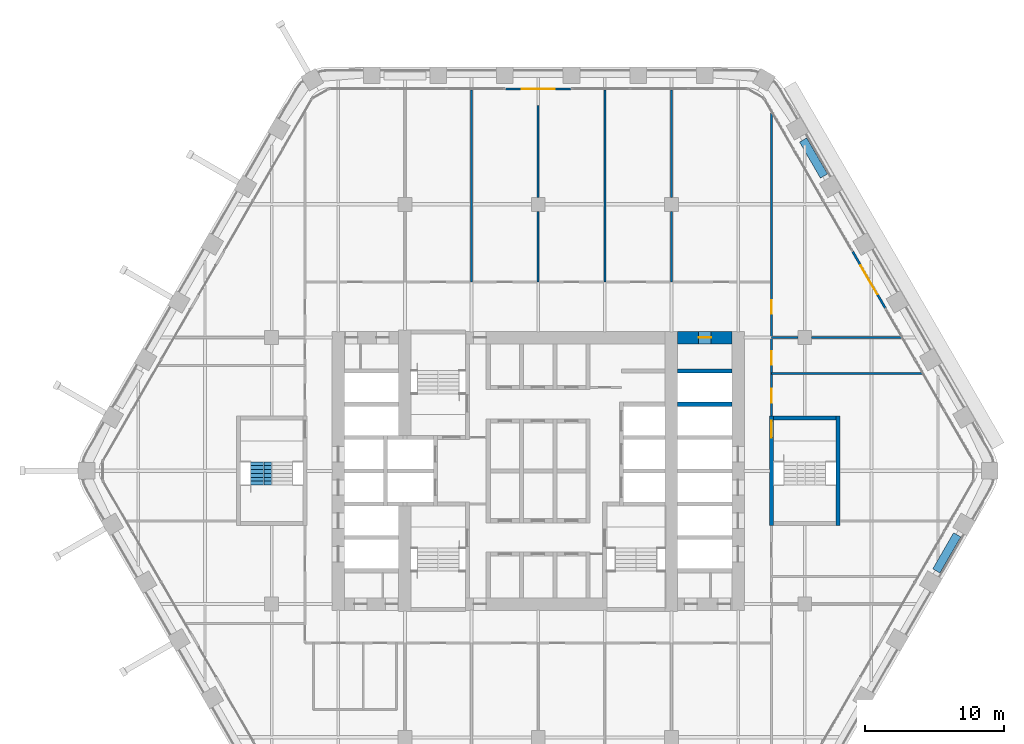
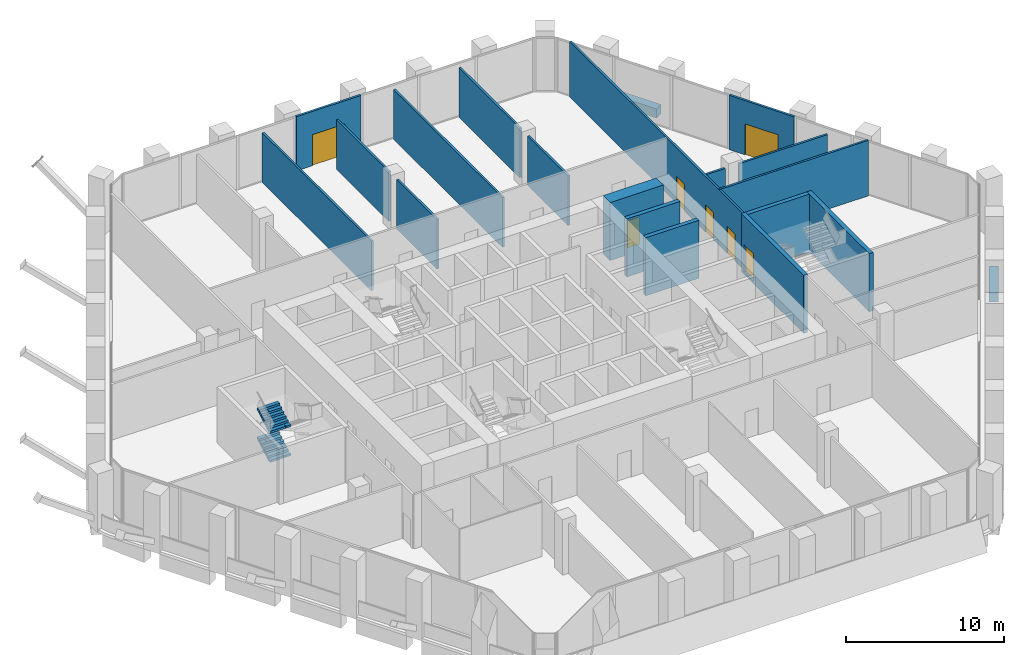
# One storey, part 19 of 27: 20 walls, 7 doors, 2 stair flights, 7 openings, 1 element without a shape of its own.
"""IFC4 building model written with IfcOpenShell, lengths in metres."""

from ifc_helpers import new_model, si_unit, direction, frame, frame_2d, origin, place, context, subcontext, project, spatial, polyline, rectangle, outline, extrude, material, layer, layer_set, type_object, element, fill, aggregate, save


model = new_model("IFC4")

# Units and contexts
model_context = context("Model", 3, precision=1e-05, world=origin(), true_north=direction((0.0, 1.0)))
body_context = subcontext(model_context, "Body", "Model", "MODEL_VIEW")
ifc_project = project(units=[si_unit("LENGTHUNIT", "METRE"), si_unit("AREAUNIT", "SQUARE_METRE"), si_unit("VOLUMEUNIT", "CUBIC_METRE"), si_unit("PLANEANGLEUNIT", "RADIAN"), si_unit("MASSUNIT", "GRAM", prefix="KILO")], contexts=[model_context])

# Site, building, storey
site_placement = place(None, origin())
site = spatial("IfcSite", under=ifc_project, at=site_placement, CompositionType="ELEMENT")
building_placement = place(site_placement, origin())
building = spatial("IfcBuilding", under=site, at=building_placement, Name="Kolab Exchange Tower", CompositionType="ELEMENT")
storey_placement = place(building_placement, frame((0.0, 0.0, 118.39990234375)))
storey = spatial("IfcBuildingStorey", under=building, at=storey_placement, Name="L23", CompositionType="ELEMENT", Elevation=118.39990234375)

# Wall, opening, door
ifc_material_1 = material(Name="Concrete C70/85", Category="concrete")
ifc_layer_1 = layer(ifc_material_1, 0.89990234375)
ifc_layer_set_1 = layer_set([ifc_layer_1], Name="Concrete C70/85")
wall_type_1 = type_object("IfcWallType", Name="CORE WALL 900 C70/85", PredefinedType="SHEAR", material=ifc_layer_set_1)
wall_1_placement = place(storey_placement, frame((10.050048828125, 9.60009765625, -0.199951171875), z_axis=(0.0, 0.0, 1.0), x_axis=(1.0, 0.0, 0.0)))
wall_1 = element("IfcWall", 1, at=wall_1_placement, inside=storey, type_object=wall_type_1, Name="wall/L23/core/053", PredefinedType="SHEAR", context=body_context, shape_type="SweptSolid", body=[
    extrude(rectangle(XDim=3.89990234375, YDim=0.89990234375, at=frame_2d((1.949951171875, 0.0))), origin(), (0.0, 0.0, 1.0), 4.5),
])
opening_1_placement = place(wall_1_placement, frame((1.5, 0.0, 0.199951171875)))
opening_1 = element("IfcOpeningElement", 2, at=opening_1_placement, cuts=wall_1, Name="Opening D6-212", PredefinedType="OPENING", context=body_context, shape_type="SweptSolid", body=[
    extrude(rectangle(XDim=0.89990234375, YDim=2.10009765625, at=frame_2d((0.449951171875, 1.050048828125))), frame((0.0, 0.4599609375, 0.0), z_axis=(0.0, -1.0, 0.0), x_axis=(1.0, 0.0, 0.0)), (0.0, 0.0, 1.0), 0.919921875),
])
ifc_material_2 = material(Name="Steel S235", Category="steel")
door_type_1 = type_object("IfcDoorType", Name="CORE DOOR 900 EI 120", OperationType="SINGLE_SWING_LEFT", PredefinedType="DOOR", material=ifc_material_2)
door_1_placement = place(opening_1_placement, frame((0.89990234375, 0.0, 0.0), z_axis=(0.0, 0.0, 1.0), x_axis=(-1.0, 0.0, 0.0)))
door_1 = element("IfcDoor", 3, at=door_1_placement, inside=storey, type_object=door_type_1, Name="Service room door", OperationType="SINGLE_SWING_LEFT", OverallHeight=2.10009765625, OverallWidth=0.89990234375, PredefinedType="DOOR", context=body_context, shape_type="SweptSolid", body=[
    extrude(rectangle(XDim=0.89990234375, YDim=2.10009765625, at=frame_2d((0.449951171875, 1.050048828125))), frame((0.0, 0.02490234375, 0.0), z_axis=(0.0, -1.0, 0.0), x_axis=(1.0, 0.0, 0.0)), (0.0, 0.0, 1.0), 0.050048828125),
])
fill(opening_1, door_1)

ifc_material_3 = material(Name="Aluminium EN AW-6063 T6", Category="aluminium")
ifc_layer_2 = layer(ifc_material_3, 0.159912109375)
ifc_layer_set_2 = layer_set([ifc_layer_2], Name="Aluminium EN AW-6063 T6")
wall_type_2 = type_object("IfcWallType", Name="DOOR SURROUND WALL 160 ALUMINIUM FRAMED", PredefinedType="PARTITIONING", material=ifc_layer_set_2)
wall_2_placement = place(storey_placement, frame((-2.3701171875, 27.5185546875, 0.0), z_axis=(0.0, 0.0, 1.0), x_axis=(1.0, 0.0, 0.0)))
wall_2 = element("IfcWall", 4, at=wall_2_placement, inside=storey, type_object=wall_type_2, Name="Door surround wall", PredefinedType="PARTITIONING", context=body_context, shape_type="SweptSolid", body=[
    extrude(rectangle(XDim=4.740234375, YDim=0.159912109375, at=frame_2d((2.3701171875, 0.0))), origin(), (0.0, 0.0, 1.0), 4.2001953125),
])
opening_2_placement = place(wall_2_placement, frame((1.169921875, 0.0, 0.0)))
opening_2 = element("IfcOpeningElement", 5, at=opening_2_placement, cuts=wall_2, Name="Opening GD1-043", PredefinedType="OPENING", context=body_context, shape_type="SweptSolid", body=[
    extrude(rectangle(XDim=2.39990234375, YDim=2.39990234375, at=frame_2d((1.199951171875, 1.199951171875))), frame((0.0, 0.08984375, 0.0), z_axis=(0.0, -1.0, 0.0), x_axis=(1.0, 0.0, 0.0)), (0.0, 0.0, 1.0), 0.179931640625),
])
door_type_2 = type_object("IfcDoorType", Name="LOGGIA SLIDING GLASS DOOR 2400 X 2400", OperationType="DOUBLE_DOOR_SINGLE_SWING", PredefinedType="DOOR", material=ifc_material_3)
door_2_placement = place(opening_2_placement, origin())
door_2 = element("IfcDoor", 6, at=door_2_placement, inside=storey, type_object=door_type_2, Name="Loggia door", OperationType="DOUBLE_DOOR_SLIDING", OverallHeight=2.39990234375, OverallWidth=2.39990234375, PredefinedType="DOOR", context=body_context, shape_type="SweptSolid", body=[
    extrude(rectangle(XDim=2.39990234375, YDim=2.39990234375, at=frame_2d((1.199951171875, 1.199951171875))), frame((0.0, 0.02490234375, 0.0), z_axis=(0.0, -1.0, 0.0), x_axis=(1.0, 0.0, 0.0)), (0.0, 0.0, 1.0), 0.050048828125),
])
fill(opening_2, door_2)

wall_3_placement = place(storey_placement, frame((22.646728515625, 15.811767578125, 0.0), z_axis=(0.0, 0.0, 1.0), x_axis=(0.499978080042, -0.866038058908, 0.0)))
wall_3 = element("IfcWall", 7, at=wall_3_placement, inside=storey, type_object=wall_type_2, Name="Door surround wall", PredefinedType="PARTITIONING", context=body_context, shape_type="SweptSolid", body=[
    extrude(rectangle(XDim=4.739990234375, YDim=0.159912109375, at=frame_2d((2.3701171875, 0.0))), origin(), (0.0, 0.0, 1.0), 4.2001953125),
])
opening_3_placement = place(wall_3_placement, frame((1.169921875, 0.0, 0.0)))
opening_3 = element("IfcOpeningElement", 8, at=opening_3_placement, cuts=wall_3, Name="Opening GD1-044", PredefinedType="OPENING", context=body_context, shape_type="SweptSolid", body=[
    extrude(rectangle(XDim=2.39990234375, YDim=2.39990234375, at=frame_2d((1.199951171875, 1.199951171875))), frame((0.0, 0.08984375, 0.0), z_axis=(0.0, -1.0, 0.0), x_axis=(1.0, 0.0, 0.0)), (0.0, 0.0, 1.0), 0.179931640625),
])
door_3_placement = place(opening_3_placement, origin())
door_3 = element("IfcDoor", 9, at=door_3_placement, inside=storey, type_object=door_type_2, Name="Loggia door", OperationType="DOUBLE_DOOR_SLIDING", OverallHeight=2.39990234375, OverallWidth=2.39990234375, PredefinedType="DOOR", context=body_context, shape_type="SweptSolid", body=[
    extrude(rectangle(XDim=2.39990234375, YDim=2.39990234375, at=frame_2d((1.199951171875, 1.199951171875))), frame((0.0, 0.02490234375, 0.0), z_axis=(0.0, -1.0, 0.0), x_axis=(1.0, 0.0, 0.0)), (0.0, 0.0, 1.0), 0.050048828125),
])
fill(opening_3, door_3)

# Walls
ifc_material_4 = material(Name="Concrete C50/60", Category="concrete")
ifc_layer_3 = layer(ifc_material_4, 0.300048828125)
ifc_layer_set_3 = layer_set([ifc_layer_3], Name="Concrete C50/60")
wall_type_3 = type_object("IfcWallType", Name="LIFT SHAFT WALL 300 C50/60", PredefinedType="STANDARD", material=ifc_layer_set_3)
for number, where, z_axis, x_axis, name in (
    (10, (10.050048828125, 4.800048828125, -0.199951171875), (0.0, 0.0, 1.0), (1.0, 0.0, 0.0), "wall/L23/core/044"),
    (11, (10.050048828125, 7.199951171875, -0.199951171875), (0.0, 0.0, 1.0), (1.0, 0.0, 0.0), "wall/L23/core/050"),
):
    element("IfcWall", number, at=place(storey_placement, frame(where, z_axis=z_axis, x_axis=x_axis)), inside=storey, type_object=wall_type_3, Name=name, PredefinedType="STANDARD", context=body_context, shape_type="SweptSolid", body=[
        extrude(rectangle(XDim=3.89990234375, YDim=0.300048828125, at=frame_2d((1.949951171875, 0.0))), origin(), (0.0, 0.0, 1.0), 4.5),
    ])

# Wall, openings, doors
ifc_material_5 = material(Name="Gypsum board", Category="gypsum")
ifc_layer_4 = layer(ifc_material_5, 0.14990234375)
ifc_layer_set_4 = layer_set([ifc_layer_4], Name="Gypsum board")
wall_type_4 = type_object("IfcWallType", Name="PARTITION 150 FIRE-RATED", PredefinedType="PARTITIONING", material=ifc_layer_set_4)
wall_4_placement = place(storey_placement, frame((16.800048828125, 3.949951171875, 0.0), z_axis=(0.0, 0.0, 1.0), x_axis=(0.0, 1.0, 0.0)))
wall_4 = element("IfcWall", 12, at=wall_4_placement, inside=storey, type_object=wall_type_4, Name="Partition 001", PredefinedType="PARTITIONING", context=body_context, shape_type="SweptSolid", body=[
    extrude(rectangle(XDim=21.908447265625, YDim=0.14990234375, at=frame_2d((10.9541015625, 0.0))), origin(), (0.0, 0.0, 1.0), 4.300048828125),
])
opening_4_placement = place(wall_4_placement, frame((0.949951171875, 0.0, 0.0)))
opening_4 = element("IfcOpeningElement", 13, at=opening_4_placement, cuts=wall_4, Name="Opening D1-316", PredefinedType="OPENING", context=body_context, shape_type="SweptSolid", body=[
    extrude(rectangle(XDim=1.0, YDim=2.10009765625, at=frame_2d((0.5, 1.050048828125))), frame((0.0, 0.0849609375, 0.0), z_axis=(0.0, -1.0, 0.0), x_axis=(1.0, 0.0, 0.0)), (0.0, 0.0, 1.0), 0.169921875),
])
opening_5_placement = place(wall_4_placement, frame((3.675048828125, 0.0, 0.0)))
opening_5 = element("IfcOpeningElement", 14, at=opening_5_placement, cuts=wall_4, Name="Opening D1-317", PredefinedType="OPENING", context=body_context, shape_type="SweptSolid", body=[
    extrude(rectangle(XDim=1.0, YDim=2.10009765625, at=frame_2d((0.5, 1.050048828125))), frame((0.0, 0.0849609375, 0.0), z_axis=(0.0, -1.0, 0.0), x_axis=(1.0, 0.0, 0.0)), (0.0, 0.0, 1.0), 0.169921875),
])
opening_6_placement = place(wall_4_placement, frame((7.35009765625, 0.0, 0.0)))
opening_6 = element("IfcOpeningElement", 15, at=opening_6_placement, cuts=wall_4, Name="Opening D1-318", PredefinedType="OPENING", context=body_context, shape_type="SweptSolid", body=[
    extrude(rectangle(XDim=1.0, YDim=2.10009765625, at=frame_2d((0.5, 1.050048828125))), frame((0.0, 0.0849609375, 0.0), z_axis=(0.0, -1.0, 0.0), x_axis=(1.0, 0.0, 0.0)), (0.0, 0.0, 1.0), 0.169921875),
])
door_type_3 = type_object("IfcDoorType", Name="FLUSH DOOR 1000 FD60", OperationType="SINGLE_SWING_LEFT", PredefinedType="DOOR", material=ifc_material_2)
door_4_placement = place(opening_4_placement, frame((1.0, 0.0, 0.0), z_axis=(0.0, 0.0, 1.0), x_axis=(-1.0, 0.0, 0.0)))
door_4 = element("IfcDoor", 16, at=door_4_placement, inside=storey, type_object=door_type_3, Name="Door L23-063", OperationType="SINGLE_SWING_RIGHT", OverallHeight=2.10009765625, OverallWidth=1.0, PredefinedType="DOOR", context=body_context, shape_type="SweptSolid", body=[
    extrude(rectangle(XDim=1.0, YDim=2.10009765625, at=frame_2d((0.5, 1.050048828125))), frame((0.0, 0.02490234375, 0.0), z_axis=(0.0, -1.0, 0.0), x_axis=(1.0, 0.0, 0.0)), (0.0, 0.0, 1.0), 0.050048828125),
])
fill(opening_4, door_4)
door_5_placement = place(opening_5_placement, frame((1.0, 0.0, 0.0), z_axis=(0.0, 0.0, 1.0), x_axis=(-1.0, 0.0, 0.0)))
door_5 = element("IfcDoor", 17, at=door_5_placement, inside=storey, type_object=door_type_3, Name="Door L23-064", OperationType="SINGLE_SWING_LEFT", OverallHeight=2.10009765625, OverallWidth=1.0, PredefinedType="DOOR", context=body_context, shape_type="SweptSolid", body=[
    extrude(rectangle(XDim=1.0, YDim=2.10009765625, at=frame_2d((0.5, 1.050048828125))), frame((0.0, 0.02490234375, 0.0), z_axis=(0.0, -1.0, 0.0), x_axis=(1.0, 0.0, 0.0)), (0.0, 0.0, 1.0), 0.050048828125),
])
fill(opening_5, door_5)
door_6_placement = place(opening_6_placement, frame((1.0, 0.0, 0.0), z_axis=(0.0, 0.0, 1.0), x_axis=(-1.0, 0.0, 0.0)))
door_6 = element("IfcDoor", 18, at=door_6_placement, inside=storey, type_object=door_type_3, Name="Door L23-065", OperationType="SINGLE_SWING_LEFT", OverallHeight=2.10009765625, OverallWidth=1.0, PredefinedType="DOOR", context=body_context, shape_type="SweptSolid", body=[
    extrude(rectangle(XDim=1.0, YDim=2.10009765625, at=frame_2d((0.5, 1.050048828125))), frame((0.0, 0.02490234375, 0.0), z_axis=(0.0, -1.0, 0.0), x_axis=(1.0, 0.0, 0.0)), (0.0, 0.0, 1.0), 0.050048828125),
])
fill(opening_6, door_6)

# Walls
wall_5_placement = place(storey_placement, frame((9.60009765625, 13.60009765625, 0.0), z_axis=(0.0, 0.0, 1.0), x_axis=(0.0, 1.0, 0.0)))
element("IfcWall", 19, at=wall_5_placement, inside=storey, type_object=wall_type_4, Name="Partition 005", PredefinedType="PARTITIONING", context=body_context, shape_type="SweptSolid", body=[
    extrude(rectangle(XDim=5.099853515625, YDim=0.14990234375, at=frame_2d((2.5498046875, 0.0))), origin(), (0.0, 0.0, 1.0), 3.843017578125),
])
wall_6_placement = place(storey_placement, frame((9.60009765625, 19.699951171875, 0.0), z_axis=(0.0, 0.0, 1.0), x_axis=(0.0, 1.0, 0.0)))
element("IfcWall", 20, at=wall_6_placement, inside=storey, type_object=wall_type_4, Name="Partition 006", PredefinedType="PARTITIONING", context=body_context, shape_type="SweptSolid", body=[
    extrude(rectangle(XDim=7.728515625, YDim=0.14990234375, at=frame_2d((3.8642578125, 0.0))), origin(), (0.0, 0.0, 1.0), 3.843017578125),
])
wall_7_placement = place(storey_placement, frame((4.800048828125, 13.60009765625, 0.0), z_axis=(0.0, 0.0, 1.0), x_axis=(0.0, 1.0, 0.0)))
element("IfcWall", 21, at=wall_7_placement, inside=storey, type_object=wall_type_4, Name="Partition 008", PredefinedType="PARTITIONING", context=body_context, shape_type="SweptSolid", body=[
    extrude(rectangle(XDim=13.828369140625, YDim=0.14990234375, at=frame_2d((6.9140625, 0.0))), origin(), (0.0, 0.0, 1.0), 3.843017578125),
])
wall_8_placement = place(storey_placement, frame((0.0, 13.60009765625, 0.0), z_axis=(0.0, 0.0, 1.0), x_axis=(0.0, 1.0, 0.0)))
element("IfcWall", 22, at=wall_8_placement, inside=storey, type_object=wall_type_4, Name="Partition 011", PredefinedType="PARTITIONING", context=body_context, shape_type="SweptSolid", body=[
    extrude(rectangle(XDim=5.099853515625, YDim=0.14990234375, at=frame_2d((2.5498046875, 0.0))), origin(), (0.0, 0.0, 1.0), 3.843017578125),
])
wall_9_placement = place(storey_placement, frame((0.0, 19.699951171875, 0.0), z_axis=(0.0, 0.0, 1.0), x_axis=(0.0, 1.0, 0.0)))
element("IfcWall", 23, at=wall_9_placement, inside=storey, type_object=wall_type_4, Name="Partition 012", PredefinedType="PARTITIONING", context=body_context, shape_type="SweptSolid", body=[
    extrude(rectangle(XDim=6.61865234375, YDim=0.14990234375, at=frame_2d((3.309326171875, 0.0))), origin(), (0.0, 0.0, 1.0), 3.843017578125),
])
wall_10_placement = place(storey_placement, frame((-4.800048828125, 13.60009765625, 0.0), z_axis=(0.0, 0.0, 1.0), x_axis=(0.0, 1.0, 0.0)))
element("IfcWall", 24, at=wall_10_placement, inside=storey, type_object=wall_type_4, Name="Partition 014", PredefinedType="PARTITIONING", context=body_context, shape_type="SweptSolid", body=[
    extrude(rectangle(XDim=13.828369140625, YDim=0.14990234375, at=frame_2d((6.9140625, 0.0))), origin(), (0.0, 0.0, 1.0), 3.843017578125),
])
wall_11_placement = place(storey_placement, frame((16.800048828125, 7.0, 0.0), z_axis=(0.0, 0.0, 1.0), x_axis=(1.0, 0.0, 0.0)))
element("IfcWall", 25, at=wall_11_placement, inside=storey, type_object=wall_type_4, Name="Partition 036", PredefinedType="PARTITIONING", context=body_context, shape_type="SweptSolid", body=[
    extrude(rectangle(XDim=10.887939453125, YDim=0.14990234375, at=frame_2d((5.44384765625, 0.0))), origin(), (0.0, 0.0, 1.0), 4.300048828125),
])
wall_12_placement = place(storey_placement, frame((16.800048828125, 9.60009765625, 0.0), z_axis=(0.0, 0.0, 1.0), x_axis=(1.0, 0.0, 0.0)))
element("IfcWall", 26, at=wall_12_placement, inside=storey, type_object=wall_type_4, Name="Partition 040", PredefinedType="PARTITIONING", context=body_context, shape_type="SweptSolid", body=[
    extrude(rectangle(XDim=1.89990234375, YDim=0.14990234375, at=frame_2d((0.949951171875, 0.0))), origin(), (0.0, 0.0, 1.0), 3.692138671875),
])
wall_13_placement = place(storey_placement, frame((19.699951171875, 9.60009765625, 0.0), z_axis=(0.0, 0.0, 1.0), x_axis=(1.0, 0.0, 0.0)))
element("IfcWall", 27, at=wall_13_placement, inside=storey, type_object=wall_type_4, Name="Partition 041", PredefinedType="PARTITIONING", context=body_context, shape_type="SweptSolid", body=[
    extrude(rectangle(XDim=6.48681640625, YDim=0.14990234375, at=frame_2d((3.243408203125, 0.0))), origin(), (0.0, 0.0, 1.0), 3.692138671875),
])
ifc_material_6 = material(Name="Granite facing", Category="masonry")
ifc_layer_5 = layer(ifc_material_6, 0.0400390625)
ifc_material_7 = material(Name="Concrete C40/50 precast", Category="concrete")
ifc_layer_6 = layer(ifc_material_7, 0.56005859375)
ifc_layer_set_5 = layer_set([ifc_layer_5, ifc_layer_6], Name="Concrete C40/50 precast")
wall_type_5 = type_object("IfcWallType", Name="PLANTER BOX 600 X 700 SOIL DEPTH 550", PredefinedType="USERDEFINED", material=ifc_layer_set_5)
for number, where, z_axis, x_axis, name in (
    (28, (19.087158203125, 23.837158203125, 0.0), (0.0, 0.0, 1.0), (0.499990139034, -0.866031096941, 0.0), "Planter"),
    (29, (30.18701171875, -4.611328125, 0.0), (0.0, 0.0, 1.0), (-0.499990139034, -0.866031096941, 0.0), "Planter"),
):
    element("IfcWall", number, at=place(storey_placement, frame(where, z_axis=z_axis, x_axis=x_axis)), inside=storey, type_object=wall_type_5, Name=name, ObjectType="PLANTER", PredefinedType="USERDEFINED", context=body_context, shape_type="SweptSolid", body=[
        extrude(rectangle(XDim=3.0, YDim=0.60009765625, at=frame_2d((1.5, 0.0))), origin(), (0.0, 0.0, 1.0), 0.7001953125),
    ])
ifc_layer_7 = layer(ifc_material_4, 0.300048828125)
ifc_layer_set_6 = layer_set([ifc_layer_7], Name="Concrete C50/60")
wall_type_6 = type_object("IfcWallType", Name="STAIR ENCLOSURE WALL 300 C50/60", PredefinedType="STANDARD", material=ifc_layer_set_6)
wall_14_placement = place(storey_placement, frame((16.949951171875, 3.800048828125, -0.199951171875), z_axis=(0.0, 0.0, 1.0), x_axis=(1.0, 0.0, 0.0)))
element("IfcWall", 30, at=wall_14_placement, inside=storey, type_object=wall_type_6, Name="wall/L23/core/041", PredefinedType="STANDARD", context=body_context, shape_type="SweptSolid", body=[
    extrude(rectangle(XDim=4.5, YDim=0.300048828125, at=frame_2d((2.25, 0.0))), origin(), (0.0, 0.0, 1.0), 4.5),
])

# Wall, opening, door
wall_15_placement = place(storey_placement, frame((16.800048828125, -3.949951171875, -0.199951171875), z_axis=(0.0, 0.0, 1.0), x_axis=(0.0, 1.0, 0.0)))
wall_15 = element("IfcWall", 31, at=wall_15_placement, inside=storey, type_object=wall_type_6, Name="wall/L23/core/082", PredefinedType="STANDARD", context=body_context, shape_type="SweptSolid", body=[
    extrude(rectangle(XDim=7.89990234375, YDim=0.300048828125, at=frame_2d((3.949951171875, 0.0))), origin(), (0.0, 0.0, 1.0), 4.5),
])
opening_7_placement = place(wall_15_placement, frame((6.35009765625, 0.0, 0.199951171875)))
opening_7 = element("IfcOpeningElement", 32, at=opening_7_placement, cuts=wall_15, Name="Opening D4-047", PredefinedType="OPENING", context=body_context, shape_type="SweptSolid", body=[
    extrude(rectangle(XDim=1.199951171875, YDim=2.10009765625, at=frame_2d((0.60009765625, 1.050048828125))), frame((0.0, 0.16015625, 0.0), z_axis=(0.0, -1.0, 0.0), x_axis=(1.0, 0.0, 0.0)), (0.0, 0.0, 1.0), 0.320068359375),
])
door_type_4 = type_object("IfcDoorType", Name="STAIR DOOR 1200 EI 120", OperationType="SINGLE_SWING_LEFT", PredefinedType="DOOR", material=ifc_material_2)
door_7_placement = place(opening_7_placement, frame((1.199951171875, 0.0, 0.0), z_axis=(0.0, 0.0, 1.0), x_axis=(-1.0, 0.0, 0.0)))
door_7 = element("IfcDoor", 33, at=door_7_placement, inside=storey, type_object=door_type_4, Name="Stair 4 door", OperationType="SINGLE_SWING_RIGHT", OverallHeight=2.10009765625, OverallWidth=1.199951171875, PredefinedType="DOOR", context=body_context, shape_type="SweptSolid", body=[
    extrude(rectangle(XDim=1.199951171875, YDim=2.10009765625, at=frame_2d((0.60009765625, 1.050048828125))), frame((0.0, 0.02490234375, 0.0), z_axis=(0.0, -1.0, 0.0), x_axis=(1.0, 0.0, 0.0)), (0.0, 0.0, 1.0), 0.050048828125),
])
fill(opening_7, door_7)

# Wall
wall_16_placement = place(storey_placement, frame((21.60009765625, -3.949951171875, -0.199951171875), z_axis=(0.0, 0.0, 1.0), x_axis=(0.0, 1.0, 0.0)))
element("IfcWall", 34, at=wall_16_placement, inside=storey, type_object=wall_type_6, Name="wall/L23/core/083", PredefinedType="STANDARD", context=body_context, shape_type="SweptSolid", body=[
    extrude(rectangle(XDim=7.89990234375, YDim=0.300048828125, at=frame_2d((3.949951171875, 0.0))), origin(), (0.0, 0.0, 1.0), 4.5),
])

# Stair, stair flights
stair_type = type_object("IfcStairType", Name="STAIR ST5 RISER 160.7", PredefinedType="DOUBLE_RETURN_STAIR", material=ifc_material_4)
stair_placement = place(storey_placement, origin())
stair = element("IfcStair", 35, at=stair_placement, inside=storey, type_object=stair_type, Name="Stair 5", PredefinedType="DOUBLE_RETURN_STAIR")
stair_flight_type = type_object("IfcStairFlightType", Name="STAIR FLIGHT 1500 RISER 160.7", PredefinedType="STRAIGHT", material=ifc_material_4)
stair_flight_1_placement = place(storey_placement, frame((-19.9599609375, -1.030029296875, 1.125), z_axis=(0.0, 0.0, 1.0), x_axis=(0.0, 1.0, 0.0)))
stair_flight_1 = element("IfcStairFlight", 36, at=stair_flight_1_placement, type_object=stair_flight_type, Name="ST5 flight 2", NumberOfRisers=7, NumberOfTreads=6, PredefinedType="STRAIGHT", RiserHeight=0.160714286, TreadLength=0.28, context=body_context, shape_type="SweptSolid", body=[
    extrude(outline(polyline([(0.0, 0.0), (0.0, 0.16064453125), (0.280029296875, 0.16064453125), (0.280029296875, 0.321533203125), (0.56005859375, 0.321533203125), (0.56005859375, 0.482177734375), (0.840087890625, 0.482177734375), (0.840087890625, 0.642822265625), (1.1201171875, 0.642822265625), (1.1201171875, 0.803466796875), (1.39990234375, 0.803466796875), (1.39990234375, 0.96435546875), (1.679931640625, 0.96435546875), (1.679931640625, 1.125), (1.679931640625, 0.79150390625), (0.301025390625, 0.0), (0.0, 0.0)])), frame((0.0, 0.75, 0.0), z_axis=(0.0, -1.0, 0.0), x_axis=(1.0, 0.0, 0.0)), (0.0, 0.0, 1.0), 0.185791015625),
    extrude(outline(polyline([(0.0, 0.0), (0.0, 0.16064453125), (0.280029296875, 0.16064453125), (0.280029296875, 0.321533203125), (0.56005859375, 0.321533203125), (0.56005859375, 0.482177734375), (0.840087890625, 0.482177734375), (0.840087890625, 0.642822265625), (1.1201171875, 0.642822265625), (1.1201171875, 0.803466796875), (1.39990234375, 0.803466796875), (1.39990234375, 0.96435546875), (1.679931640625, 0.96435546875), (1.679931640625, 1.125), (1.679931640625, 0.79150390625), (0.301025390625, 0.0), (0.0, 0.0)])), frame((0.0, 0.562255859375, 0.0), z_axis=(0.0, -1.0, 0.0), x_axis=(1.0, 0.0, 0.0)), (0.0, 0.0, 1.0), 0.185791015625),
    extrude(outline(polyline([(0.0, 0.0), (0.0, 0.16064453125), (0.280029296875, 0.16064453125), (0.280029296875, 0.321533203125), (0.56005859375, 0.321533203125), (0.56005859375, 0.482177734375), (0.840087890625, 0.482177734375), (0.840087890625, 0.642822265625), (1.1201171875, 0.642822265625), (1.1201171875, 0.803466796875), (1.39990234375, 0.803466796875), (1.39990234375, 0.96435546875), (1.679931640625, 0.96435546875), (1.679931640625, 1.125), (1.679931640625, 0.79150390625), (0.301025390625, 0.0), (0.0, 0.0)])), frame((0.0, 0.37451171875, 0.0), z_axis=(0.0, -1.0, 0.0), x_axis=(1.0, 0.0, 0.0)), (0.0, 0.0, 1.0), 0.185791015625),
    extrude(outline(polyline([(0.0, 0.0), (0.0, 0.16064453125), (0.280029296875, 0.16064453125), (0.280029296875, 0.321533203125), (0.56005859375, 0.321533203125), (0.56005859375, 0.482177734375), (0.840087890625, 0.482177734375), (0.840087890625, 0.642822265625), (1.1201171875, 0.642822265625), (1.1201171875, 0.803466796875), (1.39990234375, 0.803466796875), (1.39990234375, 0.96435546875), (1.679931640625, 0.96435546875), (1.679931640625, 1.125), (1.679931640625, 0.79150390625), (0.301025390625, 0.0), (0.0, 0.0)])), frame((0.0, 0.186767578125, 0.0), z_axis=(0.0, -1.0, 0.0), x_axis=(1.0, 0.0, 0.0)), (0.0, 0.0, 1.0), 0.185791015625),
    extrude(outline(polyline([(0.0, 0.0), (0.0, 0.16064453125), (0.280029296875, 0.16064453125), (0.280029296875, 0.321533203125), (0.56005859375, 0.321533203125), (0.56005859375, 0.482177734375), (0.840087890625, 0.482177734375), (0.840087890625, 0.642822265625), (1.1201171875, 0.642822265625), (1.1201171875, 0.803466796875), (1.39990234375, 0.803466796875), (1.39990234375, 0.96435546875), (1.679931640625, 0.96435546875), (1.679931640625, 1.125), (1.679931640625, 0.79150390625), (0.301025390625, 0.0), (0.0, 0.0)])), frame((0.0, -0.0009765625, 0.0), z_axis=(0.0, -1.0, 0.0), x_axis=(1.0, 0.0, 0.0)), (0.0, 0.0, 1.0), 0.185791015625),
    extrude(outline(polyline([(0.0, 0.0), (0.0, 0.16064453125), (0.280029296875, 0.16064453125), (0.280029296875, 0.321533203125), (0.56005859375, 0.321533203125), (0.56005859375, 0.482177734375), (0.840087890625, 0.482177734375), (0.840087890625, 0.642822265625), (1.1201171875, 0.642822265625), (1.1201171875, 0.803466796875), (1.39990234375, 0.803466796875), (1.39990234375, 0.96435546875), (1.679931640625, 0.96435546875), (1.679931640625, 1.125), (1.679931640625, 0.79150390625), (0.301025390625, 0.0), (0.0, 0.0)])), frame((0.0, -0.188720703125, 0.0), z_axis=(0.0, -1.0, 0.0), x_axis=(1.0, 0.0, 0.0)), (0.0, 0.0, 1.0), 0.185791015625),
    extrude(outline(polyline([(0.0, 0.0), (0.0, 0.16064453125), (0.280029296875, 0.16064453125), (0.280029296875, 0.321533203125), (0.56005859375, 0.321533203125), (0.56005859375, 0.482177734375), (0.840087890625, 0.482177734375), (0.840087890625, 0.642822265625), (1.1201171875, 0.642822265625), (1.1201171875, 0.803466796875), (1.39990234375, 0.803466796875), (1.39990234375, 0.96435546875), (1.679931640625, 0.96435546875), (1.679931640625, 1.125), (1.679931640625, 0.79150390625), (0.301025390625, 0.0), (0.0, 0.0)])), frame((0.0, -0.37646484375, 0.0), z_axis=(0.0, -1.0, 0.0), x_axis=(1.0, 0.0, 0.0)), (0.0, 0.0, 1.0), 0.185791015625),
    extrude(outline(polyline([(0.0, 0.0), (0.0, 0.16064453125), (0.280029296875, 0.16064453125), (0.280029296875, 0.321533203125), (0.56005859375, 0.321533203125), (0.56005859375, 0.482177734375), (0.840087890625, 0.482177734375), (0.840087890625, 0.642822265625), (1.1201171875, 0.642822265625), (1.1201171875, 0.803466796875), (1.39990234375, 0.803466796875), (1.39990234375, 0.96435546875), (1.679931640625, 0.96435546875), (1.679931640625, 1.125), (1.679931640625, 0.79150390625), (0.301025390625, 0.0), (0.0, 0.0)])), frame((0.0, -0.564208984375, 0.0), z_axis=(0.0, -1.0, 0.0), x_axis=(1.0, 0.0, 0.0)), (0.0, 0.0, 1.0), 0.185791015625),
])
stair_flight_2_placement = place(storey_placement, frame((-19.9599609375, -1.030029296875, 3.375), z_axis=(0.0, 0.0, 1.0), x_axis=(0.0, 1.0, 0.0)))
stair_flight_2 = element("IfcStairFlight", 37, at=stair_flight_2_placement, type_object=stair_flight_type, Name="ST5 flight 4", NumberOfRisers=7, NumberOfTreads=6, PredefinedType="STRAIGHT", RiserHeight=0.160714286, TreadLength=0.28, context=body_context, shape_type="SweptSolid", body=[
    extrude(outline(polyline([(0.0, 0.0), (0.0, 0.16064453125), (0.280029296875, 0.16064453125), (0.280029296875, 0.321533203125), (0.56005859375, 0.321533203125), (0.56005859375, 0.482177734375), (0.840087890625, 0.482177734375), (0.840087890625, 0.642822265625), (1.1201171875, 0.642822265625), (1.1201171875, 0.803466796875), (1.39990234375, 0.803466796875), (1.39990234375, 0.96435546875), (1.679931640625, 0.96435546875), (1.679931640625, 1.125), (1.679931640625, 0.79150390625), (0.301025390625, 0.0), (0.0, 0.0)])), frame((0.0, 0.75, 0.0), z_axis=(0.0, -1.0, 0.0), x_axis=(1.0, 0.0, 0.0)), (0.0, 0.0, 1.0), 0.185791015625),
    extrude(outline(polyline([(0.0, 0.0), (0.0, 0.16064453125), (0.280029296875, 0.16064453125), (0.280029296875, 0.321533203125), (0.56005859375, 0.321533203125), (0.56005859375, 0.482177734375), (0.840087890625, 0.482177734375), (0.840087890625, 0.642822265625), (1.1201171875, 0.642822265625), (1.1201171875, 0.803466796875), (1.39990234375, 0.803466796875), (1.39990234375, 0.96435546875), (1.679931640625, 0.96435546875), (1.679931640625, 1.125), (1.679931640625, 0.79150390625), (0.301025390625, 0.0), (0.0, 0.0)])), frame((0.0, 0.562255859375, 0.0), z_axis=(0.0, -1.0, 0.0), x_axis=(1.0, 0.0, 0.0)), (0.0, 0.0, 1.0), 0.185791015625),
    extrude(outline(polyline([(0.0, 0.0), (0.0, 0.16064453125), (0.280029296875, 0.16064453125), (0.280029296875, 0.321533203125), (0.56005859375, 0.321533203125), (0.56005859375, 0.482177734375), (0.840087890625, 0.482177734375), (0.840087890625, 0.642822265625), (1.1201171875, 0.642822265625), (1.1201171875, 0.803466796875), (1.39990234375, 0.803466796875), (1.39990234375, 0.96435546875), (1.679931640625, 0.96435546875), (1.679931640625, 1.125), (1.679931640625, 0.79150390625), (0.301025390625, 0.0), (0.0, 0.0)])), frame((0.0, 0.37451171875, 0.0), z_axis=(0.0, -1.0, 0.0), x_axis=(1.0, 0.0, 0.0)), (0.0, 0.0, 1.0), 0.185791015625),
    extrude(outline(polyline([(0.0, 0.0), (0.0, 0.16064453125), (0.280029296875, 0.16064453125), (0.280029296875, 0.321533203125), (0.56005859375, 0.321533203125), (0.56005859375, 0.482177734375), (0.840087890625, 0.482177734375), (0.840087890625, 0.642822265625), (1.1201171875, 0.642822265625), (1.1201171875, 0.803466796875), (1.39990234375, 0.803466796875), (1.39990234375, 0.96435546875), (1.679931640625, 0.96435546875), (1.679931640625, 1.125), (1.679931640625, 0.79150390625), (0.301025390625, 0.0), (0.0, 0.0)])), frame((0.0, 0.186767578125, 0.0), z_axis=(0.0, -1.0, 0.0), x_axis=(1.0, 0.0, 0.0)), (0.0, 0.0, 1.0), 0.185791015625),
    extrude(outline(polyline([(0.0, 0.0), (0.0, 0.16064453125), (0.280029296875, 0.16064453125), (0.280029296875, 0.321533203125), (0.56005859375, 0.321533203125), (0.56005859375, 0.482177734375), (0.840087890625, 0.482177734375), (0.840087890625, 0.642822265625), (1.1201171875, 0.642822265625), (1.1201171875, 0.803466796875), (1.39990234375, 0.803466796875), (1.39990234375, 0.96435546875), (1.679931640625, 0.96435546875), (1.679931640625, 1.125), (1.679931640625, 0.79150390625), (0.301025390625, 0.0), (0.0, 0.0)])), frame((0.0, -0.0009765625, 0.0), z_axis=(0.0, -1.0, 0.0), x_axis=(1.0, 0.0, 0.0)), (0.0, 0.0, 1.0), 0.185791015625),
    extrude(outline(polyline([(0.0, 0.0), (0.0, 0.16064453125), (0.280029296875, 0.16064453125), (0.280029296875, 0.321533203125), (0.56005859375, 0.321533203125), (0.56005859375, 0.482177734375), (0.840087890625, 0.482177734375), (0.840087890625, 0.642822265625), (1.1201171875, 0.642822265625), (1.1201171875, 0.803466796875), (1.39990234375, 0.803466796875), (1.39990234375, 0.96435546875), (1.679931640625, 0.96435546875), (1.679931640625, 1.125), (1.679931640625, 0.79150390625), (0.301025390625, 0.0), (0.0, 0.0)])), frame((0.0, -0.188720703125, 0.0), z_axis=(0.0, -1.0, 0.0), x_axis=(1.0, 0.0, 0.0)), (0.0, 0.0, 1.0), 0.185791015625),
    extrude(outline(polyline([(0.0, 0.0), (0.0, 0.16064453125), (0.280029296875, 0.16064453125), (0.280029296875, 0.321533203125), (0.56005859375, 0.321533203125), (0.56005859375, 0.482177734375), (0.840087890625, 0.482177734375), (0.840087890625, 0.642822265625), (1.1201171875, 0.642822265625), (1.1201171875, 0.803466796875), (1.39990234375, 0.803466796875), (1.39990234375, 0.96435546875), (1.679931640625, 0.96435546875), (1.679931640625, 1.125), (1.679931640625, 0.79150390625), (0.301025390625, 0.0), (0.0, 0.0)])), frame((0.0, -0.37646484375, 0.0), z_axis=(0.0, -1.0, 0.0), x_axis=(1.0, 0.0, 0.0)), (0.0, 0.0, 1.0), 0.185791015625),
    extrude(outline(polyline([(0.0, 0.0), (0.0, 0.16064453125), (0.280029296875, 0.16064453125), (0.280029296875, 0.321533203125), (0.56005859375, 0.321533203125), (0.56005859375, 0.482177734375), (0.840087890625, 0.482177734375), (0.840087890625, 0.642822265625), (1.1201171875, 0.642822265625), (1.1201171875, 0.803466796875), (1.39990234375, 0.803466796875), (1.39990234375, 0.96435546875), (1.679931640625, 0.96435546875), (1.679931640625, 1.125), (1.679931640625, 0.79150390625), (0.301025390625, 0.0), (0.0, 0.0)])), frame((0.0, -0.564208984375, 0.0), z_axis=(0.0, -1.0, 0.0), x_axis=(1.0, 0.0, 0.0)), (0.0, 0.0, 1.0), 0.185791015625),
])
aggregate(stair, [stair_flight_1, stair_flight_2])

save(model, "model.ifc")
